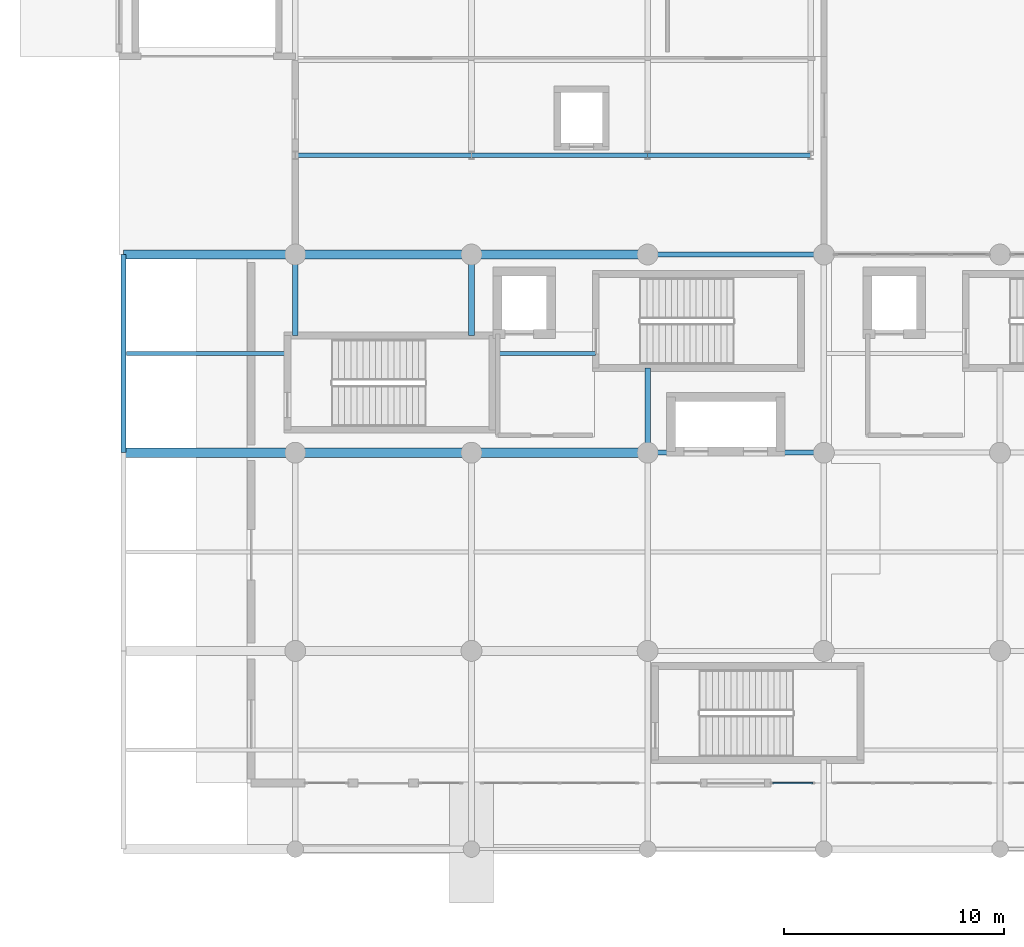
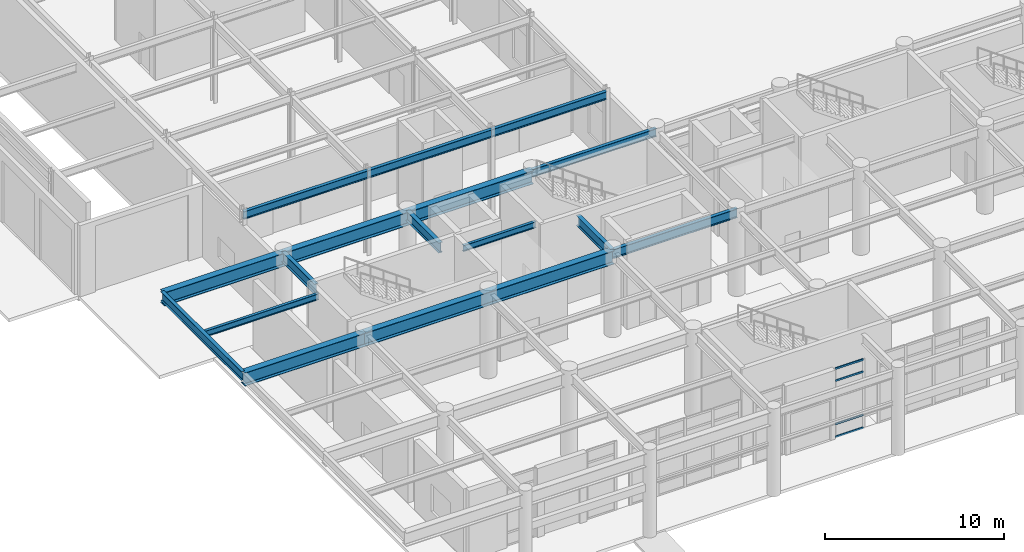
# One storey, part 7 of 49: 15 beams, 4 members, 1 element without a shape of its own.
"""IFC4 building model written with IfcOpenShell, lengths in metres."""

from ifc_helpers import new_model, si_unit, direction, frame, origin, origin_2d, place, context, subcontext, project, spatial, rectangle, i_section, extrude, material, layer, layer_set, material_profile, profile_set, type_object, element, aggregate, save


model = new_model("IFC4")

# Units and contexts
model_context = context("Model", 3, precision=1e-05, world=origin(), true_north=direction((0.0, 1.0)))
body_context = subcontext(model_context, "Body", "Model", "MODEL_VIEW")
ifc_project = project(units=[si_unit("LENGTHUNIT", "METRE"), si_unit("AREAUNIT", "SQUARE_METRE"), si_unit("VOLUMEUNIT", "CUBIC_METRE"), si_unit("PLANEANGLEUNIT", "RADIAN"), si_unit("MASSUNIT", "GRAM", prefix="KILO")], contexts=[model_context])

# Site, building, storey
site_placement = place(None, origin())
site = spatial("IfcSite", under=ifc_project, at=site_placement, CompositionType="ELEMENT")
building_placement = place(site_placement, origin())
building = spatial("IfcBuilding", under=site, at=building_placement, Name="Tlacozan Convention Centre", CompositionType="ELEMENT")
storey_placement = place(building_placement, origin())
storey = spatial("IfcBuildingStorey", under=building, at=storey_placement, Name="L00", CompositionType="ELEMENT", Elevation=0.0)

# Beams
ifc_material_1 = material(Name="Steel ASTM A992 Grade 50", Category="steel")
ifc_material_profile_1 = material_profile(ifc_material_1, i_section(OverallWidth=0.41796875, OverallDepth=0.912109375, WebThickness=0.019287109375, FlangeThickness=0.031982421875, FilletRadius=0.02001953125, at=origin_2d()), Name="IR 914x342.0")
ifc_profile_set_1 = profile_set([ifc_material_profile_1], Name="Steel ASTM A992 Grade 50")
beam_type_1 = type_object("IfcBeamType", Name="Cantilever Girder IR 914x342", PredefinedType="BEAM", material=ifc_profile_set_1)
for number, where, z_axis, x_axis, name in (
    (1, (8.0, 18.0, 5.263916015625), (-1.0, 0.0, 0.0), (0.0, -1.0, 0.0), "L00 Cantilever Girder IR 914x342 183"),
    (2, (8.0, 27.0, 5.263916015625), (-1.0, 0.0, 0.0), (0.0, -1.0, 0.0), "L00 Cantilever Girder IR 914x342 187"),
):
    element("IfcBeam", number, at=place(storey_placement, frame(where, z_axis=z_axis, x_axis=x_axis)), inside=storey, type_object=beam_type_1, Name=name, PredefinedType="BEAM", context=body_context, shape_type="SweptSolid", body=[
        extrude(i_section(OverallWidth=0.41796875, OverallDepth=0.912109375, WebThickness=0.019287109375, FlangeThickness=0.031982421875, FilletRadius=0.02001953125, at=origin_2d()), origin(), (0.0, 0.0, 1.0), 7.800048828125),
    ])

# Curtain wall, members
ifc_material_2 = material(Name="Dark Bronze Anodised Aluminium", Category="aluminium")
ifc_layer = layer(ifc_material_2, 0.159912109375)
ifc_layer_set = layer_set([ifc_layer], Name="Dark Bronze Anodised Aluminium")
curtain_wall_type = type_object("IfcCurtainWallType", Name="Unitised Concourse Curtain Wall CW01", PredefinedType="NOTDEFINED", material=ifc_layer_set)
curtain_wall_placement = place(storey_placement, origin())
curtain_wall = element("IfcCurtainWall", 3, at=curtain_wall_placement, inside=storey, type_object=curtain_wall_type, Name="L00 CW-01 Run 34", PredefinedType="NOTDEFINED")
ifc_material_profile_2 = material_profile(ifc_material_2, rectangle(XDim=0.06494140625, YDim=0.125, at=origin_2d()), Name="ALU 65x125")
ifc_profile_set_2 = profile_set([ifc_material_profile_2], Name="Dark Bronze Anodised Aluminium")
member_type = type_object("IfcMemberType", Name="Curtain Wall Transom 65x125", PredefinedType="USERDEFINED", material=ifc_profile_set_2)
member_1_placement = place(storey_placement, frame((29.68505859375, 3.0, 0.032470703125), z_axis=(1.0, 0.0, 0.0), x_axis=(0.0, 1.0, 0.0)))
member_1 = element("IfcMember", 4, at=member_1_placement, type_object=member_type, Name="CW-01 transom 1.1", ObjectType="TRANSOM", PredefinedType="USERDEFINED", context=body_context, shape_type="SweptSolid", body=[
    extrude(rectangle(XDim=0.06494140625, YDim=0.125, at=origin_2d()), origin(), (0.0, 0.0, 1.0), 1.800048828125),
])
member_2_placement = place(storey_placement, frame((29.68505859375, 3.0, 0.89990234375), z_axis=(1.0, 0.0, 0.0), x_axis=(0.0, 1.0, 0.0)))
member_2 = element("IfcMember", 5, at=member_2_placement, type_object=member_type, Name="CW-01 transom 1.2", ObjectType="TRANSOM", PredefinedType="USERDEFINED", context=body_context, shape_type="SweptSolid", body=[
    extrude(rectangle(XDim=0.06494140625, YDim=0.125, at=origin_2d()), origin(), (0.0, 0.0, 1.0), 1.800048828125),
])
member_3_placement = place(storey_placement, frame((29.68505859375, 3.0, 3.85009765625), z_axis=(1.0, 0.0, 0.0), x_axis=(0.0, 1.0, 0.0)))
member_3 = element("IfcMember", 6, at=member_3_placement, type_object=member_type, Name="CW-01 transom 1.3", ObjectType="TRANSOM", PredefinedType="USERDEFINED", context=body_context, shape_type="SweptSolid", body=[
    extrude(rectangle(XDim=0.06494140625, YDim=0.125, at=origin_2d()), origin(), (0.0, 0.0, 1.0), 1.800048828125),
])
member_4_placement = place(storey_placement, frame((29.68505859375, 3.0, 4.66748046875), z_axis=(1.0, 0.0, 0.0), x_axis=(0.0, 1.0, 0.0)))
member_4 = element("IfcMember", 7, at=member_4_placement, type_object=member_type, Name="CW-01 transom 1.4", ObjectType="TRANSOM", PredefinedType="USERDEFINED", context=body_context, shape_type="SweptSolid", body=[
    extrude(rectangle(XDim=0.06494140625, YDim=0.125, at=origin_2d()), origin(), (0.0, 0.0, 1.0), 1.800048828125),
])
aggregate(curtain_wall, [member_1, member_2, member_3, member_4])

# Beams
ifc_material_profile_3 = material_profile(ifc_material_1, i_section(OverallWidth=0.2109375, OverallDepth=0.5390625, WebThickness=0.01171875, FlangeThickness=0.018798828125, FilletRadius=0.012939453125, at=origin_2d()), Name="IR 533x109.0")
ifc_profile_set_3 = profile_set([ifc_material_profile_3], Name="Steel ASTM A992 Grade 50")
beam_type_2 = type_object("IfcBeamType", Name="Floor Beam IR 533x109", PredefinedType="BEAM", material=ifc_profile_set_3)
for number, where, z_axis, x_axis, name in (
    (8, (8.0, 31.5, 5.450439453125), (1.0, 0.0, 0.0), (0.0, 1.0, 0.0), "L00 Floor Beam IR 533x109 1669"),
    (9, (16.0, 31.5, 5.450439453125), (1.0, 0.0, 0.0), (0.0, 1.0, 0.0), "L00 Floor Beam IR 533x109 1675"),
):
    element("IfcBeam", number, at=place(storey_placement, frame(where, z_axis=z_axis, x_axis=x_axis)), inside=storey, type_object=beam_type_2, Name=name, PredefinedType="BEAM", context=body_context, shape_type="SweptSolid", body=[
        extrude(i_section(OverallWidth=0.2109375, OverallDepth=0.5390625, WebThickness=0.01171875, FlangeThickness=0.018798828125, FilletRadius=0.012939453125, at=origin_2d()), origin(), (0.0, 0.0, 1.0), 8.0),
    ])
beam_1_placement = place(storey_placement, frame((24.0, 31.5, 5.450439453125), z_axis=(1.0, 0.0, 0.0), x_axis=(0.0, 1.0, 0.0)))
element("IfcBeam", 10, at=beam_1_placement, inside=storey, type_object=beam_type_2, Name="L00 Floor Beam IR 533x109 1681", PredefinedType="BEAM", context=body_context, shape_type="SweptSolid", body=[
    extrude(i_section(OverallWidth=0.2109375, OverallDepth=0.5390625, WebThickness=0.01171875, FlangeThickness=0.018798828125, FilletRadius=0.012939453125, at=origin_2d()), origin(), (0.0, 0.0, 1.0), 7.39990234375),
])
ifc_material_profile_4 = material_profile(ifc_material_1, i_section(OverallWidth=0.22900390625, OverallDepth=0.612060546875, WebThickness=0.011962890625, FlangeThickness=0.01953125, FilletRadius=0.012939453125, at=origin_2d()), Name="IR 610x125.0")
ifc_profile_set_4 = profile_set([ifc_material_profile_4], Name="Steel ASTM A992 Grade 50")
beam_type_3 = type_object("IfcBeamType", Name="Floor Beam IR 610x125", PredefinedType="BEAM", material=ifc_profile_set_4)
beam_2_placement = place(storey_placement, frame((24.0, 18.0, 5.4140625), z_axis=(1.0, 0.0, 0.0), x_axis=(0.0, 1.0, 0.0)))
element("IfcBeam", 11, at=beam_2_placement, inside=storey, type_object=beam_type_3, Name="L00 Floor Beam IR 610x125 192", PredefinedType="BEAM", context=body_context, shape_type="SweptSolid", body=[
    extrude(i_section(OverallWidth=0.22900390625, OverallDepth=0.612060546875, WebThickness=0.011962890625, FlangeThickness=0.01953125, FilletRadius=0.012939453125, at=origin_2d()), origin(), (0.0, 0.0, 1.0), 8.0),
])
ifc_material_profile_5 = material_profile(ifc_material_1, i_section(OverallWidth=0.256103515625, OverallDepth=0.693115234375, WebThickness=0.014404296875, FlangeThickness=0.023681640625, FilletRadius=0.014892578125, at=origin_2d()), Name="IR 686x170.0")
ifc_profile_set_5 = profile_set([ifc_material_profile_5], Name="Steel ASTM A992 Grade 50")
beam_type_4 = type_object("IfcBeamType", Name="Girder Steel IR 686x170", PredefinedType="BEAM", material=ifc_profile_set_5)
for number, where, z_axis, x_axis, name in (
    (12, (8.0, 23.320068359375, 5.37353515625), (0.0, 1.0, 0.0), (-1.0, 0.0, 0.0), "L00 Girder Steel IR 686x170 128"),
    (13, (16.0, 23.320068359375, 5.37353515625), (0.0, 1.0, 0.0), (-1.0, 0.0, 0.0), "L00 Girder Steel IR 686x170 131"),
):
    element("IfcBeam", number, at=place(storey_placement, frame(where, z_axis=z_axis, x_axis=x_axis)), inside=storey, type_object=beam_type_4, Name=name, PredefinedType="BEAM", context=body_context, shape_type="SweptSolid", body=[
        extrude(i_section(OverallWidth=0.256103515625, OverallDepth=0.693115234375, WebThickness=0.014404296875, FlangeThickness=0.023681640625, FilletRadius=0.014892578125, at=origin_2d()), origin(), (0.0, 0.0, 1.0), 3.679931640625),
    ])
beam_3_placement = place(storey_placement, frame((24.0, 18.0, 5.37353515625), z_axis=(0.0, 1.0, 0.0), x_axis=(-1.0, 0.0, 0.0)))
element("IfcBeam", 14, at=beam_3_placement, inside=storey, type_object=beam_type_4, Name="L00 Girder Steel IR 686x170 134", PredefinedType="BEAM", context=body_context, shape_type="SweptSolid", body=[
    extrude(i_section(OverallWidth=0.256103515625, OverallDepth=0.693115234375, WebThickness=0.014404296875, FlangeThickness=0.023681640625, FilletRadius=0.014892578125, at=origin_2d()), origin(), (0.0, 0.0, 1.0), 3.840087890625),
])
ifc_material_profile_6 = material_profile(ifc_material_1, i_section(OverallWidth=0.2109375, OverallDepth=0.5390625, WebThickness=0.01171875, FlangeThickness=0.018798828125, FilletRadius=0.012939453125, at=origin_2d()), Name="IR 533x109.0")
ifc_profile_set_6 = profile_set([ifc_material_profile_6], Name="Steel ASTM A992 Grade 50")
beam_type_5 = type_object("IfcBeamType", Name="Perimeter Spandrel IR 533x109", PredefinedType="SPANDREL", material=ifc_profile_set_6)
beam_4_placement = place(storey_placement, frame((24.0, 27.0, 5.450439453125), z_axis=(1.0, 0.0, 0.0), x_axis=(0.0, 1.0, 0.0)))
element("IfcBeam", 15, at=beam_4_placement, inside=storey, type_object=beam_type_5, Name="L00 Perimeter Spandrel IR 533x109 193", PredefinedType="SPANDREL", context=body_context, shape_type="SweptSolid", body=[
    extrude(i_section(OverallWidth=0.2109375, OverallDepth=0.5390625, WebThickness=0.01171875, FlangeThickness=0.018798828125, FilletRadius=0.012939453125, at=origin_2d()), origin(), (0.0, 0.0, 1.0), 8.0),
])
ifc_material_profile_7 = material_profile(ifc_material_1, i_section(OverallWidth=0.22900390625, OverallDepth=0.612060546875, WebThickness=0.011962890625, FlangeThickness=0.01953125, FilletRadius=0.012939453125, at=origin_2d()), Name="IR 610x125.0")
ifc_profile_set_7 = profile_set([ifc_material_profile_7], Name="Steel ASTM A992 Grade 50")
beam_type_6 = type_object("IfcBeamType", Name="Perimeter Spandrel IR 610x125", PredefinedType="SPANDREL", material=ifc_profile_set_7)
beam_5_placement = place(storey_placement, frame((0.199951171875, 18.0, 5.4140625), z_axis=(0.0, 1.0, 0.0), x_axis=(-1.0, 0.0, 0.0)))
element("IfcBeam", 16, at=beam_5_placement, inside=storey, type_object=beam_type_6, Name="L00 Perimeter Spandrel IR 610x125 170", PredefinedType="SPANDREL", context=body_context, shape_type="SweptSolid", body=[
    extrude(i_section(OverallWidth=0.22900390625, OverallDepth=0.612060546875, WebThickness=0.011962890625, FlangeThickness=0.01953125, FilletRadius=0.012939453125, at=origin_2d()), origin(), (0.0, 0.0, 1.0), 9.0),
])
ifc_material_profile_8 = material_profile(ifc_material_1, i_section(OverallWidth=0.179931640625, OverallDepth=0.4130859375, WebThickness=0.009765625, FlangeThickness=0.01611328125, FilletRadius=0.010986328125, at=origin_2d()), Name="IR 406x74.4")
ifc_profile_set_8 = profile_set([ifc_material_profile_8], Name="Steel ASTM A992 Grade 50")
beam_type_7 = type_object("IfcBeamType", Name="Secondary Joist IR 406x74.4", PredefinedType="JOIST", material=ifc_profile_set_8)
beam_6_placement = place(storey_placement, frame((0.325927734375, 22.5, 5.513427734375), z_axis=(1.0, 0.0, 0.0), x_axis=(0.0, 1.0, 0.0)))
element("IfcBeam", 17, at=beam_6_placement, inside=storey, type_object=beam_type_7, Name="L00 Secondary Joist IR 406x74.4 228", PredefinedType="JOIST", context=body_context, shape_type="SweptSolid", body=[
    extrude(i_section(OverallWidth=0.179931640625, OverallDepth=0.4130859375, WebThickness=0.009765625, FlangeThickness=0.01611328125, FilletRadius=0.010986328125, at=origin_2d()), origin(), (0.0, 0.0, 1.0), 7.31396484375),
])
beam_7_placement = place(storey_placement, frame((16.9599609375, 22.5, 5.513427734375), z_axis=(1.0, 0.0, 0.0), x_axis=(0.0, 1.0, 0.0)))
element("IfcBeam", 18, at=beam_7_placement, inside=storey, type_object=beam_type_7, Name="L00 Secondary Joist IR 406x74.4 233", PredefinedType="JOIST", context=body_context, shape_type="SweptSolid", body=[
    extrude(i_section(OverallWidth=0.179931640625, OverallDepth=0.4130859375, WebThickness=0.009765625, FlangeThickness=0.01611328125, FilletRadius=0.010986328125, at=origin_2d()), origin(), (0.0, 0.0, 1.0), 4.679931640625),
])
ifc_material_profile_9 = material_profile(ifc_material_1, i_section(OverallWidth=0.41796875, OverallDepth=0.912109375, WebThickness=0.019287109375, FlangeThickness=0.031982421875, FilletRadius=0.02001953125, at=origin_2d()), Name="IR 914x342.0")
ifc_profile_set_9 = profile_set([ifc_material_profile_9], Name="Steel ASTM A992 Grade 50")
beam_type_8 = type_object("IfcBeamType", Name="Transfer Girder IR 914x342", PredefinedType="BEAM", material=ifc_profile_set_9)
for number, where, z_axis, x_axis, name in (
    (19, (24.0, 18.0, 5.263916015625), (-1.0, 0.0, 0.0), (0.0, -1.0, 0.0), "L00 Transfer Girder IR 914x342 182"),
    (20, (24.0, 27.0, 5.263916015625), (-1.0, 0.0, 0.0), (0.0, -1.0, 0.0), "L00 Transfer Girder IR 914x342 186"),
):
    element("IfcBeam", number, at=place(storey_placement, frame(where, z_axis=z_axis, x_axis=x_axis)), inside=storey, type_object=beam_type_8, Name=name, PredefinedType="BEAM", context=body_context, shape_type="SweptSolid", body=[
        extrude(i_section(OverallWidth=0.41796875, OverallDepth=0.912109375, WebThickness=0.019287109375, FlangeThickness=0.031982421875, FilletRadius=0.02001953125, at=origin_2d()), origin(), (0.0, 0.0, 1.0), 16.0),
    ])

save(model, "model.ifc")
